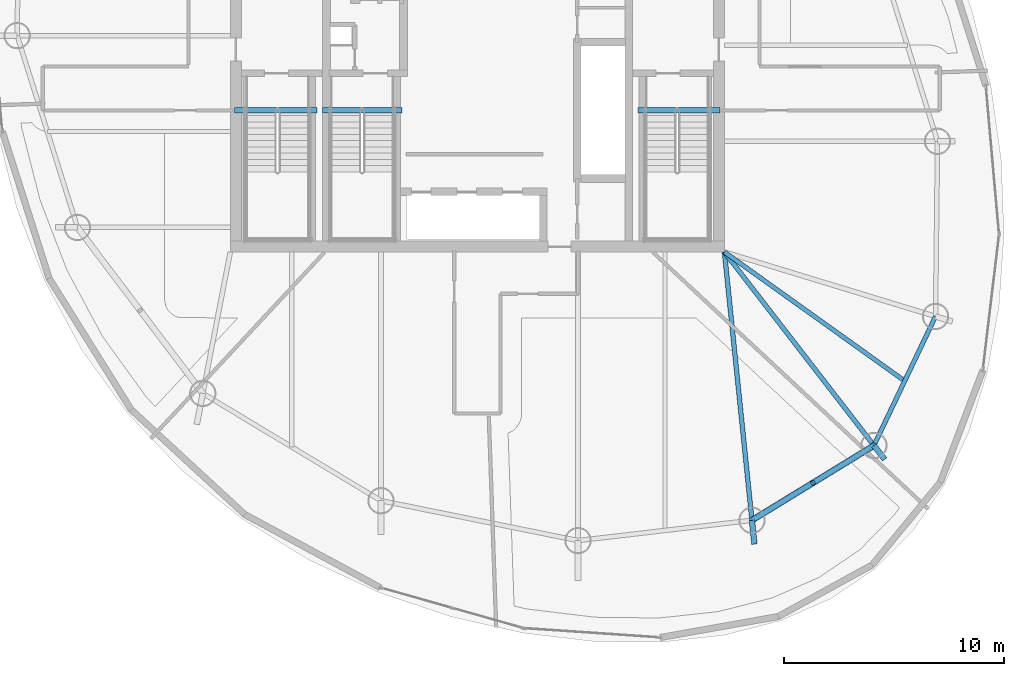
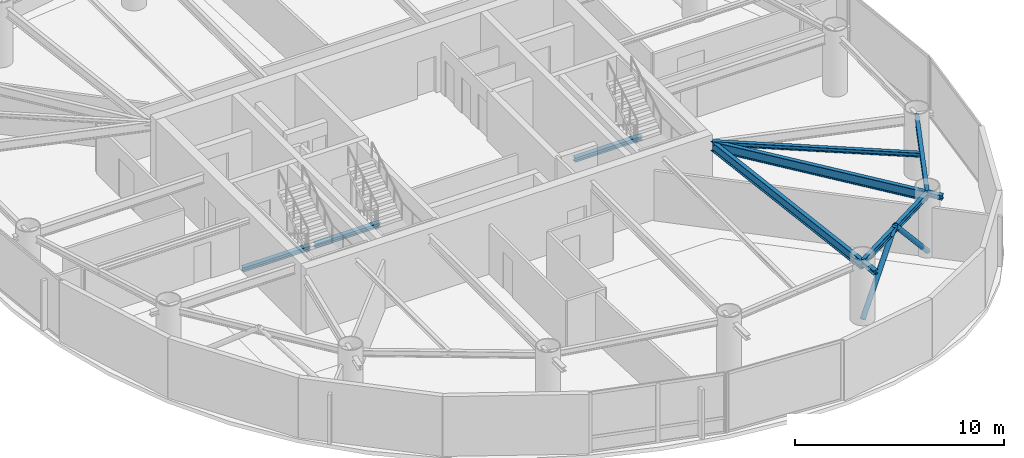
# One storey, part 5 of 18: 10 beams, 2 members.
"""IFC4 building model written with IfcOpenShell, lengths in metres."""

from ifc_helpers import new_model, si_unit, direction, frame, origin, origin_2d, place, context, subcontext, project, spatial, hollow_circle, i_section, extrude, material, material_profile, profile_set, type_object, element, save


model = new_model("IFC4")

# Units and contexts
model_context = context("Model", 3, precision=1e-05, world=origin(), true_north=direction((0.0, 1.0)))
body_context = subcontext(model_context, "Body", "Model", "MODEL_VIEW")
ifc_project = project(units=[si_unit("LENGTHUNIT", "METRE"), si_unit("AREAUNIT", "SQUARE_METRE"), si_unit("VOLUMEUNIT", "CUBIC_METRE"), si_unit("PLANEANGLEUNIT", "RADIAN"), si_unit("MASSUNIT", "GRAM", prefix="KILO")], contexts=[model_context])

# Site, building, storey
site_placement = place(None, origin())
site = spatial("IfcSite", under=ifc_project, at=site_placement, CompositionType="ELEMENT")
building_placement = place(site_placement, origin())
building = spatial("IfcBuilding", under=site, at=building_placement, Name="Bramvorn Convention Spire", CompositionType="ELEMENT")
storey_placement = place(building_placement, frame((0.0, 0.0, 232.800048828125)))
storey = spatial("IfcBuildingStorey", under=building, at=storey_placement, Name="L59", CompositionType="ELEMENT", Elevation=232.800048828125)

# Beams
ifc_material = material(Name="Steel CSA G40.21 Grade 350 (350W)", Category="steel")
ifc_material_profile_1 = material_profile(ifc_material, i_section(OverallWidth=0.201904296875, OverallDepth=0.2470703125, WebThickness=0.00732421875, FlangeThickness=0.010986328125, FilletRadius=0.011962890625, at=origin_2d()))
ifc_profile_set_1 = profile_set([ifc_material_profile_1], Name="Steel CSA G40.21 Grade 350 (350W) - W250X49")
beam_type_1 = type_object("IfcBeamType", Name="BM-W250X49", PredefinedType="JOIST", material=ifc_profile_set_1)
beam_1_placement = place(storey_placement, frame((49.25, 18.550048828125, 3.37646484375), z_axis=(0.813471895271, -0.581604225916, 0.0), x_axis=(0.581604225916, 0.813471895271, 0.0)))
element("IfcBeam", 1, at=beam_1_placement, inside=storey, type_object=beam_type_1, Name="L59 composite floor joist 01", PredefinedType="JOIST", context=body_context, shape_type="SweptSolid", body=[
    extrude(i_section(OverallWidth=0.201904296875, OverallDepth=0.2470703125, WebThickness=0.00732421875, FlangeThickness=0.010986328125, FilletRadius=0.011962890625, at=origin_2d()), origin(), (0.0, 0.0, 1.0), 10.093505859375),
])
ifc_material_profile_2 = material_profile(ifc_material, i_section(OverallWidth=0.25390625, OverallDepth=0.2529296875, WebThickness=0.008544921875, FlangeThickness=0.01416015625, FilletRadius=0.011962890625, at=origin_2d()))
ifc_profile_set_2 = profile_set([ifc_material_profile_2], Name="Steel CSA G40.21 Grade 350 (350W) - W250X73")
beam_type_2 = type_object("IfcBeamType", Name="BM-W250X73", PredefinedType="BEAM", material=ifc_profile_set_2)
beam_2_placement = place(storey_placement, frame((56.058349609375, 9.739990234375, 3.37353515625), z_axis=(0.611655959625, -0.791123875923, 0.0), x_axis=(0.791123875923, 0.611655959625, 0.0)))
element("IfcBeam", 2, at=beam_2_placement, inside=storey, type_object=beam_type_2, Name="L59 slab-edge cantilever tip beam MC01", PredefinedType="BEAM", context=body_context, shape_type="SweptSolid", body=[
    extrude(i_section(OverallWidth=0.25390625, OverallDepth=0.2529296875, WebThickness=0.008544921875, FlangeThickness=0.01416015625, FilletRadius=0.011962890625, at=origin_2d()), origin(), (0.0, 0.0, 1.0), 0.7998046875),
])
beam_3_placement = place(storey_placement, frame((50.50439453125, 6.336181640625, 3.37353515625), z_axis=(0.102244115102, -0.994759338195, 0.0), x_axis=(0.994759338195, 0.102244115102, 0.0)))
element("IfcBeam", 3, at=beam_3_placement, inside=storey, type_object=beam_type_2, Name="L59 slab-edge cantilever tip beam MC16", PredefinedType="BEAM", context=body_context, shape_type="SweptSolid", body=[
    extrude(i_section(OverallWidth=0.25390625, OverallDepth=0.2529296875, WebThickness=0.008544921875, FlangeThickness=0.01416015625, FilletRadius=0.011962890625, at=origin_2d()), origin(), (0.0, 0.0, 1.0), 1.093505859375),
])
for number, where, z_axis, x_axis, name in (
    (4, (26.949951171875, 25.010009765625, -0.12646484375), (1.0, 0.0, 0.0), (0.0, 1.0, 0.0), "L59 ST1 stair arrival header beam"),
    (5, (45.31005859375, 25.010009765625, -0.12646484375), (1.0, 0.0, 0.0), (0.0, 1.0, 0.0), "L59 ST2 stair arrival header beam"),
):
    element("IfcBeam", number, at=place(storey_placement, frame(where, z_axis=z_axis, x_axis=x_axis)), inside=storey, type_object=beam_type_2, Name=name, PredefinedType="BEAM", context=body_context, shape_type="SweptSolid", body=[
        extrude(i_section(OverallWidth=0.25390625, OverallDepth=0.2529296875, WebThickness=0.008544921875, FlangeThickness=0.01416015625, FilletRadius=0.011962890625, at=origin_2d()), origin(), (0.0, 0.0, 1.0), 3.739990234375),
    ])
beam_4_placement = place(storey_placement, frame((30.949951171875, 25.010009765625, -0.12646484375), z_axis=(1.0, 0.0, 0.0), x_axis=(0.0, 1.0, 0.0)))
element("IfcBeam", 6, at=beam_4_placement, inside=storey, type_object=beam_type_2, Name="L59 ST3 stair arrival header beam", PredefinedType="BEAM", context=body_context, shape_type="SweptSolid", body=[
    extrude(i_section(OverallWidth=0.25390625, OverallDepth=0.2529296875, WebThickness=0.008544921875, FlangeThickness=0.01416015625, FilletRadius=0.011962890625, at=origin_2d()), origin(), (0.0, 0.0, 1.0), 3.610107421875),
])
ifc_material_profile_3 = material_profile(ifc_material, i_section(OverallWidth=0.205078125, OverallDepth=0.35400390625, WebThickness=0.009521484375, FlangeThickness=0.016845703125, FilletRadius=0.014892578125, at=origin_2d()))
ifc_profile_set_3 = profile_set([ifc_material_profile_3], Name="Steel CSA G40.21 Grade 350 (350W) - W360X79")
beam_type_3 = type_object("IfcBeamType", Name="BM-W360X79", PredefinedType="JOIST", material=ifc_profile_set_3)
beam_5_placement = place(storey_placement, frame((56.058349609375, 9.739990234375, 3.322998046875), z_axis=(0.430556138422, 0.902563799223, 0.0), x_axis=(-0.902563799223, 0.430556138422, 0.0)))
element("IfcBeam", 7, at=beam_5_placement, inside=storey, type_object=beam_type_3, Name="L59 mega-column ring beam 01", PredefinedType="JOIST", context=body_context, shape_type="SweptSolid", body=[
    extrude(i_section(OverallWidth=0.205078125, OverallDepth=0.35400390625, WebThickness=0.009521484375, FlangeThickness=0.016845703125, FilletRadius=0.014892578125, at=origin_2d()), origin(), (0.0, 0.0, 1.0), 6.51416015625),
])
beam_6_placement = place(storey_placement, frame((50.50439453125, 6.336181640625, 3.322998046875), z_axis=(0.852616873135, 0.522536570629, 0.0), x_axis=(-0.522536570629, 0.852616873135, 0.0)))
element("IfcBeam", 8, at=beam_6_placement, inside=storey, type_object=beam_type_3, Name="L59 mega-column ring beam 16", PredefinedType="JOIST", context=body_context, shape_type="SweptSolid", body=[
    extrude(i_section(OverallWidth=0.205078125, OverallDepth=0.35400390625, WebThickness=0.009521484375, FlangeThickness=0.016845703125, FilletRadius=0.014892578125, at=origin_2d()), origin(), (0.0, 0.0, 1.0), 6.513916015625),
])
ifc_material_profile_4 = material_profile(ifc_material, i_section(OverallWidth=0.2119140625, OverallDepth=0.5439453125, WebThickness=0.01318359375, FlangeThickness=0.021240234375, FilletRadius=0.01904296875, at=origin_2d()))
ifc_profile_set_4 = profile_set([ifc_material_profile_4], Name="Steel CSA G40.21 Grade 350 (350W) - W530X123")
beam_type_4 = type_object("IfcBeamType", Name="BM-W530X123", PredefinedType="BEAM", material=ifc_profile_set_4)
beam_7_placement = place(storey_placement, frame((49.25, 18.550048828125, 3.22802734375), z_axis=(0.611479951477, -0.791259925019, 0.0), x_axis=(0.791259925019, 0.611479951477, 0.0)))
element("IfcBeam", 9, at=beam_7_placement, inside=storey, type_object=beam_type_4, Name="L59 radial floor girder MC01", PredefinedType="BEAM", context=body_context, shape_type="SweptSolid", body=[
    extrude(i_section(OverallWidth=0.2119140625, OverallDepth=0.5439453125, WebThickness=0.01318359375, FlangeThickness=0.021240234375, FilletRadius=0.01904296875, at=origin_2d()), origin(), (0.0, 0.0, 1.0), 11.13427734375),
])
beam_8_placement = place(storey_placement, frame((49.25, 18.550048828125, 3.22802734375), z_axis=(0.10216509146, -0.994767457292, 0.0), x_axis=(0.994767457292, 0.10216509146, 0.0)))
element("IfcBeam", 10, at=beam_8_placement, inside=storey, type_object=beam_type_4, Name="L59 radial floor girder MC16", PredefinedType="BEAM", context=body_context, shape_type="SweptSolid", body=[
    extrude(i_section(OverallWidth=0.2119140625, OverallDepth=0.5439453125, WebThickness=0.01318359375, FlangeThickness=0.021240234375, FilletRadius=0.01904296875, at=origin_2d()), origin(), (0.0, 0.0, 1.0), 12.278076171875),
])

# Members
ifc_material_profile_5 = material_profile(ifc_material, hollow_circle(Radius=0.136474609375, WallThickness=0.0126953125, at=origin_2d()))
ifc_profile_set_5 = profile_set([ifc_material_profile_5], Name="Steel CSA G40.21 Grade 350 (350W) - CHS273X13")
member_type = type_object("IfcMemberType", Name="MBR-CHS273X13", PredefinedType="BRACE", material=ifc_profile_set_5)
for number, where, z_axis, x_axis, name in (
    (11, (50.50439453125, 6.336181640625, 0.0), (0.580851504909, 0.355966227756, 0.732051619725), (-0.522519873149, 0.852627106163, 0.0), "L59 perimeter Gothic lancet brace 16A"),
    (12, (56.058349609375, 9.739990234375, 0.0), (-0.580817667896, -0.355976785906, 0.732073332772), (0.522553268977, -0.852606639126, 0.0), "L59 perimeter Gothic lancet brace 16B"),
):
    element("IfcMember", number, at=place(storey_placement, frame(where, z_axis=z_axis, x_axis=x_axis)), inside=storey, type_object=member_type, Name=name, PredefinedType="BRACE", context=body_context, shape_type="SweptSolid", body=[
        extrude(hollow_circle(Radius=0.136474609375, WallThickness=0.0126953125, at=origin_2d()), origin(), (0.0, 0.0, 1.0), 4.781005859375),
    ])

save(model, "model.ifc")
